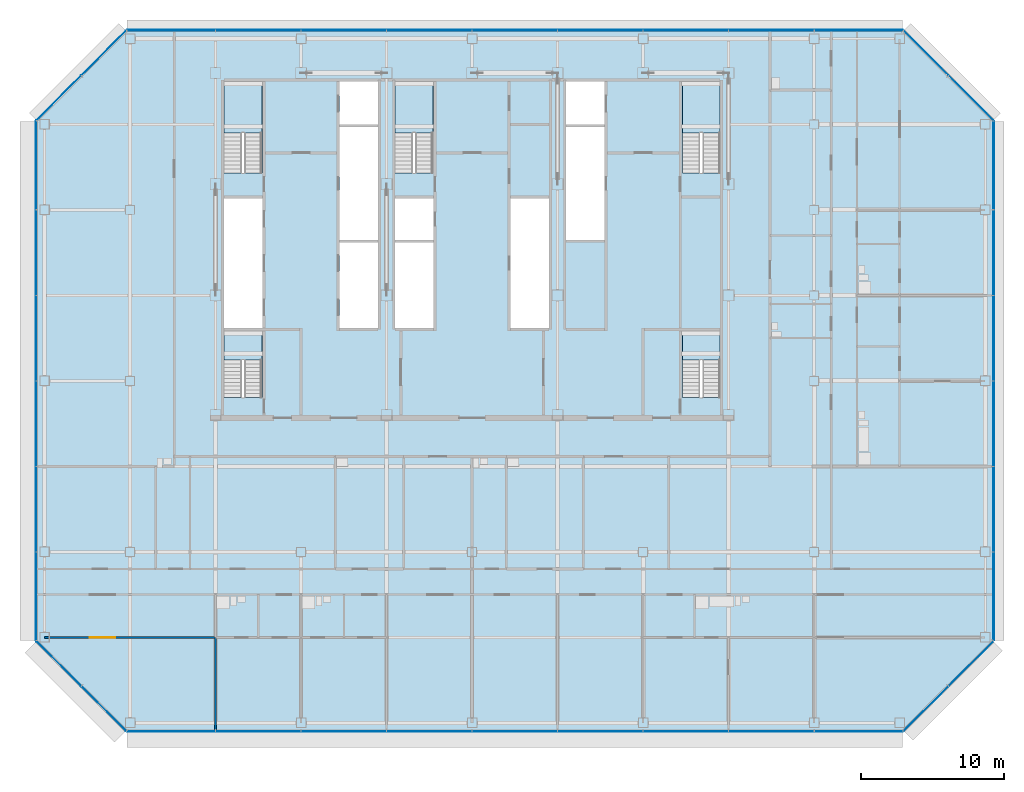
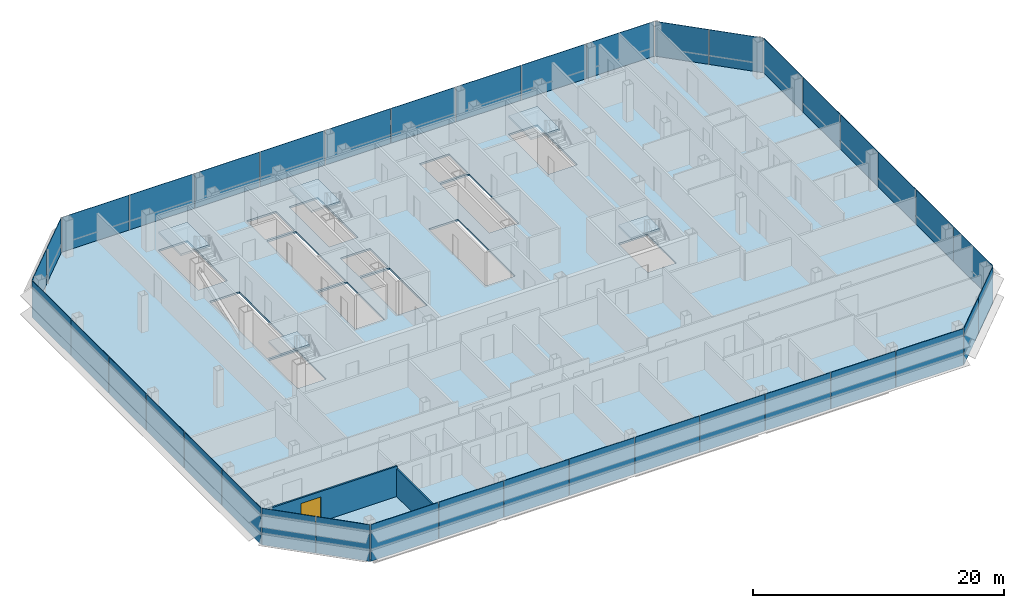
# One storey, part 18 of 26: 38 plates, 6 slabs, 2 walls, 1 door, 1 opening, 13 elements without a shape of their own.
"""IFC4 building model written with IfcOpenShell, lengths in metres."""

import ifcopenshell
import ifcopenshell.guid

model = None  # the IFC model being written
_history = None  # IfcOwnerHistory: only IFC2X3 demands one
_inside = {}  # id of a spatial element -> (the spatial element, [elements in it])
_under = {}  # id of a project, library or spatial element -> (it, [spatial elements below it])
_declared = {}  # id of a project -> (the project, [libraries it declares])
_typed = {}  # id of a type object -> (the type object, [elements of that type])
_made_of = {}  # id of a material, layer set ... -> (it, [elements and type objects made of it])


def new_model(schema):
    """Start an empty IFC model of exactly this schema.

    Asked for "IFC4X3", IfcOpenShell would pick the latest addendum, in which some entities
    have other attributes; the version numbers below select the first issue.
    IFC2X3 requires an IfcOwnerHistory on every rooted entity: one is made here for all.
    """
    global model, _history
    if schema == "IFC4X3":
        model = ifcopenshell.file(schema_version=(4, 3, 0, 0))
    else:
        model = ifcopenshell.file(schema=schema)
    _inside.clear()
    _under.clear()
    _declared.clear()
    _typed.clear()
    _made_of.clear()
    _history = None
    if model.schema == "IFC2X3":
        org = make("IfcOrganization", Name="unknown")
        user = make(
            "IfcPersonAndOrganization",
            ThePerson=make("IfcPerson", FamilyName="unknown"),
            TheOrganization=org,
        )
        app = make(
            "IfcApplication",
            ApplicationDeveloper=org,
            Version="unknown",
            ApplicationFullName="unknown",
            ApplicationIdentifier="unknown",
        )
        _history = make(
            "IfcOwnerHistory",
            OwningUser=user,
            OwningApplication=app,
            ChangeAction="ADDED",
            CreationDate=0,
        )
    return model


def make(cls, **values):
    """One entity of the class cls with the attributes given. An attribute that is None is left unset."""
    return model.create_entity(
        cls, **{name: value for name, value in values.items() if value is not None}
    )


def rooted(cls, **values):
    """An entity with a GlobalId (a new one), such as an element, a storey or a relation."""
    return make(cls, GlobalId=ifcopenshell.guid.new(), OwnerHistory=_history, **values)


def si_unit(unit_type, name, prefix=None):
    """IfcSIUnit, for example si_unit("LENGTHUNIT", "METRE", prefix="MILLI")."""
    return make("IfcSIUnit", UnitType=unit_type, Prefix=prefix, Name=name)


def assignment(units):
    """IfcUnitAssignment: the units of a project."""
    return None if units is None else make("IfcUnitAssignment", Units=units)


def point(xyz):
    """IfcCartesianPoint."""
    return None if xyz is None else make("IfcCartesianPoint", Coordinates=xyz)


def direction(xyz):
    """IfcDirection."""
    return None if xyz is None else make("IfcDirection", DirectionRatios=xyz)


def frame(location, z_axis=None, x_axis=None):
    """IfcAxis2Placement3D, a coordinate frame: its origin and axes. An axis left out is left unset."""
    return make(
        "IfcAxis2Placement3D",
        Location=point(location),
        Axis=direction(z_axis),
        RefDirection=direction(x_axis),
    )


def frame_2d(location, x_axis=None):
    """IfcAxis2Placement2D, a coordinate frame in the plane: its origin and x axis."""
    return make(
        "IfcAxis2Placement2D", Location=point(location), RefDirection=direction(x_axis)
    )


def origin():
    """The frame at (0, 0, 0) with its axes left unset."""
    return frame((0.0, 0.0, 0.0))


def origin_2d():
    """The frame at (0, 0) in the plane with its x axis left unset."""
    return frame_2d((0.0, 0.0))


def place(relative_to, where):
    """IfcLocalPlacement: puts the frame where relative to a parent placement (None: the world)."""
    return make(
        "IfcLocalPlacement", PlacementRelTo=relative_to, RelativePlacement=where
    )


def context(
    kind, dimensions, precision=None, world=None, true_north=None, identifier=None
):
    """IfcGeometricRepresentationContext, for example the 3D "Model" context."""
    return make(
        "IfcGeometricRepresentationContext",
        ContextIdentifier=identifier,
        ContextType=kind,
        CoordinateSpaceDimension=dimensions,
        Precision=precision,
        WorldCoordinateSystem=world,
        TrueNorth=true_north,
    )


def subcontext(parent, identifier, kind, view, scale=None):
    """IfcGeometricRepresentationSubContext, for example "Body" below "Model"."""
    return make(
        "IfcGeometricRepresentationSubContext",
        ContextIdentifier=identifier,
        ContextType=kind,
        ParentContext=parent,
        TargetScale=scale,
        TargetView=view,
    )


def project(units=None, contexts=None):
    """IfcProject with its units and contexts."""
    return rooted(
        "IfcProject",
        Name="project",
        RepresentationContexts=contexts,
        UnitsInContext=assignment(units),
    )


def spatial(cls, under=None, at=None, **own):
    """A site, building, storey or space (cls), placed at a placement, below another one or the project."""
    s = rooted(cls, ObjectPlacement=at, **own)
    if under is not None:
        _under.setdefault(under.id(), (under, []))[1].append(s)
    return s


def polyline(points):
    """IfcPolyline through the points."""
    return make("IfcPolyline", Points=[point(p) for p in points])


def profile(cls, at=None, kind="AREA", **sizes):
    """A parametric profile (cls). Its sizes go by their IFC names, for example OverallWidth=200.0."""
    return make(cls, ProfileType=kind, Position=at, **sizes)


def rectangle(**sizes):
    """IfcRectangleProfileDef."""
    return profile("IfcRectangleProfileDef", **sizes)


def outline(outer, holes=None, kind="AREA"):
    """IfcArbitraryClosedProfileDef: a profile drawn as a closed curve; with holes, ...WithVoids."""
    if holes is None:
        return make("IfcArbitraryClosedProfileDef", ProfileType=kind, OuterCurve=outer)
    return make(
        "IfcArbitraryProfileDefWithVoids",
        ProfileType=kind,
        OuterCurve=outer,
        InnerCurves=holes,
    )


def extrude(swept, where, along, depth):
    """IfcExtrudedAreaSolid: the profile swept, set in the frame where, extruded along a direction by depth."""
    return make(
        "IfcExtrudedAreaSolid",
        SweptArea=swept,
        Position=where,
        ExtrudedDirection=direction(along),
        Depth=depth,
    )


def shape(context_of_items, identifier, shape_type, items):
    """IfcShapeRepresentation: the items that make up one representation, for example the "Body"."""
    return make(
        "IfcShapeRepresentation",
        ContextOfItems=context_of_items,
        RepresentationIdentifier=identifier,
        RepresentationType=shape_type,
        Items=items,
    )


def material(Name=None, Category=None):
    """IfcMaterial."""
    return make("IfcMaterial", Name=Name, Category=Category)


def layer(
    of_material, thickness, ventilated=None, Name=None, Category=None, Priority=None
):
    """IfcMaterialLayer: one layer of a wall or slab, of a material (None: an air gap)."""
    return make(
        "IfcMaterialLayer",
        Material=of_material,
        LayerThickness=thickness,
        IsVentilated=ventilated,
        Name=Name,
        Category=Category,
        Priority=Priority,
    )


def layer_set(layers, Name=None):
    """IfcMaterialLayerSet."""
    return make("IfcMaterialLayerSet", MaterialLayers=layers, LayerSetName=Name)


def made_of(thing, what):
    """Note that an element or type object is made of a material, layer set ...; save() writes the relation."""
    if what is not None:
        _made_of.setdefault(what.id(), (what, []))[1].append(thing)
    return thing


def type_object(cls, material=None, **own):
    """A type object (cls), such as IfcWallType, which elements share."""
    return made_of(rooted(cls, **own), material)


def element(
    cls,
    number,
    at=None,
    inside=None,
    cuts=None,
    type_object=None,
    material=None,
    context=None,
    identifier="Body",
    shape_type=None,
    held_by="IfcProductDefinitionShape",
    body=None,
    shapes=None,
    **own,
):
    """One element of the class cls, such as IfcWall. Its Tag is "e" and its number.

    at: its placement. inside: the storey or other place that contains it. cuts: it is an
    opening in that element (IfcRelVoidsElement). A single representation is given by context,
    identifier, shape_type and body (its items); several are given by shapes. held_by: the class
    of the entity that holds the representations. save() writes the other relations.
    """
    e = rooted(cls, Tag="e%d" % number, ObjectPlacement=at, **own)
    if body is not None:
        shapes = [shape(context, identifier, shape_type, body)]
    if shapes is not None:
        e.Representation = make(held_by, Representations=shapes)
    if inside is not None:
        _inside.setdefault(inside.id(), (inside, []))[1].append(e)
    if cuts is not None:
        rooted(
            "IfcRelVoidsElement", RelatingBuildingElement=cuts, RelatedOpeningElement=e
        )
    if type_object is not None:
        _typed.setdefault(type_object.id(), (type_object, []))[1].append(e)
    return made_of(e, material)


def fill(opening, filler):
    """IfcRelFillsElement: the door or window that sits in an opening."""
    return rooted(
        "IfcRelFillsElement",
        RelatingOpeningElement=opening,
        RelatedBuildingElement=filler,
    )


def aggregate(whole, parts):
    """IfcRelAggregates: a whole, such as a stair, and the parts it consists of."""
    return rooted("IfcRelAggregates", RelatingObject=whole, RelatedObjects=parts)


def save(model, path):
    """Write the relations noted so far, then the file.

    IfcRelAggregates (storeys below a building ...), IfcRelContainedInSpatialStructure (elements
    in a storey), IfcRelDefinesByType, IfcRelAssociatesMaterial and IfcRelDeclares: one each for
    every whole, place, type object, material and project.
    """
    for whole, parts in _under.values():
        aggregate(whole, parts)
    for where, things in _inside.values():
        rooted(
            "IfcRelContainedInSpatialStructure",
            RelatedElements=things,
            RelatingStructure=where,
        )
    for kind, things in _typed.values():
        rooted("IfcRelDefinesByType", RelatedObjects=things, RelatingType=kind)
    for what, things in _made_of.values():
        rooted("IfcRelAssociatesMaterial", RelatedObjects=things, RelatingMaterial=what)
    for by, libraries in _declared.values():
        rooted("IfcRelDeclares", RelatingContext=by, RelatedDefinitions=libraries)
    model.write(path)


model = new_model("IFC4")

# Units and contexts
model_context = context("Model", 3, precision=1e-05, world=origin(), true_north=direction((0.0, 1.0)))
body_context = subcontext(model_context, "Body", "Model", "MODEL_VIEW")
ifc_project = project(units=[si_unit("LENGTHUNIT", "METRE"), si_unit("AREAUNIT", "SQUARE_METRE"), si_unit("VOLUMEUNIT", "CUBIC_METRE"), si_unit("PLANEANGLEUNIT", "RADIAN"), si_unit("MASSUNIT", "GRAM", prefix="KILO")], contexts=[model_context])

# Site, building, storey
site_placement = place(None, origin())
site = spatial("IfcSite", under=ifc_project, at=site_placement, CompositionType="ELEMENT")
building_placement = place(site_placement, origin())
building = spatial("IfcBuilding", under=site, at=building_placement, Name="Sorahane Residences", CompositionType="ELEMENT")
storey_placement = place(building_placement, frame((0.0, 0.0, 158.199951171875)))
storey = spatial("IfcBuildingStorey", under=building, at=storey_placement, Name="L36", CompositionType="ELEMENT", Elevation=158.199951171875)

# Slab
ifc_material_1 = material(Name="Concrete C35", Category="concrete")
ifc_layer_1 = layer(ifc_material_1, 0.179931640625)
ifc_layer_set_1 = layer_set([ifc_layer_1], Name="Composite floor slab 180 mm Concrete C35")
slab_type_1 = type_object("IfcSlabType", Name="Composite floor slab 180 mm Concrete C35", PredefinedType="FLOOR", material=ifc_layer_set_1)
slab_1_placement = place(storey_placement, frame((0.0, 0.0, -0.179931640625)))
element("IfcSlab", 1, at=slab_1_placement, inside=storey, type_object=slab_type_1, Name="Slab L36", PredefinedType="FLOOR", context=body_context, shape_type="SweptSolid", body=[
    extrude(outline(polyline([(-0.24853515625, -0.60009765625), (-6.60009765625, 5.75146484375), (-6.60009765625, 42.24853515625), (-0.24853515625, 48.60009765625), (54.24853515625, 48.60009765625), (60.60009765625, 42.24853515625), (60.60009765625, 5.75146484375), (54.24853515625, -0.60009765625), (-0.24853515625, -0.60009765625)]), holes=[polyline([(18.60009765625, 27.699951171875), (21.300048828125, 27.699951171875), (21.300048828125, 33.699951171875), (18.60009765625, 33.699951171875), (18.60009765625, 27.699951171875)]), polyline([(30.60009765625, 42.0), (33.300048828125, 42.0), (33.300048828125, 45.0), (30.60009765625, 45.0), (30.60009765625, 42.0)]), polyline([(14.699951171875, 27.699951171875), (17.39990234375, 27.699951171875), (17.39990234375, 33.699951171875), (14.699951171875, 33.699951171875), (14.699951171875, 27.699951171875)]), polyline([(14.699951171875, 42.0), (17.39990234375, 42.0), (17.39990234375, 45.0), (14.699951171875, 45.0), (14.699951171875, 42.0)]), polyline([(6.60009765625, 27.699951171875), (9.300048828125, 27.699951171875), (9.300048828125, 36.800048828125), (6.60009765625, 36.800048828125), (6.60009765625, 27.699951171875)]), polyline([(9.25, 38.60009765625), (9.25, 45.0), (6.60009765625, 45.0), (6.60009765625, 38.60009765625), (9.25, 38.60009765625)]), polyline([(41.39990234375, 38.60009765625), (41.39990234375, 45.0), (38.75, 45.0), (38.75, 38.60009765625), (41.39990234375, 38.60009765625)]), polyline([(21.25, 38.60009765625), (21.25, 45.0), (18.60009765625, 45.0), (18.60009765625, 38.60009765625), (21.25, 38.60009765625)]), polyline([(9.25, 22.85009765625), (9.25, 27.5), (6.60009765625, 27.5), (6.60009765625, 22.85009765625), (9.25, 22.85009765625)]), polyline([(41.39990234375, 22.85009765625), (41.39990234375, 27.5), (38.75, 27.5), (38.75, 22.85009765625), (41.39990234375, 22.85009765625)]), polyline([(14.699951171875, 33.89990234375), (17.39990234375, 33.89990234375), (17.39990234375, 41.800048828125), (14.699951171875, 41.800048828125), (14.699951171875, 33.89990234375)]), polyline([(30.60009765625, 33.89990234375), (33.300048828125, 33.89990234375), (33.300048828125, 41.800048828125), (30.60009765625, 41.800048828125), (30.60009765625, 33.89990234375)]), polyline([(18.60009765625, 33.89990234375), (21.300048828125, 33.89990234375), (21.300048828125, 36.800048828125), (18.60009765625, 36.800048828125), (18.60009765625, 33.89990234375)]), polyline([(26.699951171875, 27.699951171875), (29.39990234375, 27.699951171875), (29.39990234375, 36.800048828125), (26.699951171875, 36.800048828125), (26.699951171875, 27.699951171875)])]), origin(), (0.0, 0.0, 1.0), 0.179931640625),
])

# Curtain wall, plates
ifc_material_2 = material(Name="Dark low-e glass and black anodised aluminium", Category="aluminium")
curtain_wall_type_1 = type_object("IfcCurtainWallType", Name="Curtain wall CW-1 Typical unitised wall", PredefinedType="NOTDEFINED", material=ifc_material_2)
curtain_wall_1_placement = place(storey_placement, origin())
curtain_wall_1 = element("IfcCurtainWall", 2, at=curtain_wall_1_placement, inside=storey, type_object=curtain_wall_type_1, Name="CW-1 curtain wall L36 S1", PredefinedType="NOTDEFINED")
ifc_material_3 = material(Name="Dark low-e glass with black ceramic frit", Category="glass")
ifc_layer_2 = layer(ifc_material_3, 0.0400390625)
ifc_layer_set_2 = layer_set([ifc_layer_2], Name="Curtain wall glass panel dark low-e with black frit spandrel band")
plate_type = type_object("IfcPlateType", Name="Curtain wall glass panel dark low-e with black frit spandrel band", PredefinedType="CURTAIN_PANEL", material=ifc_layer_set_2)
plate_1_placement = place(storey_placement, frame((2.88818359375, -0.60009765625, -0.179931640625), z_axis=(0.0, 0.0, 1.0), x_axis=(1.0, 0.0, 0.0)))
plate_1 = element("IfcPlate", 3, at=plate_1_placement, type_object=plate_type, Name="CW-1 glass panel L36 S1.1", PredefinedType="CURTAIN_PANEL", context=body_context, shape_type="SweptSolid", body=[
    extrude(rectangle(XDim=6.173583984375, YDim=0.0400390625, at=origin_2d()), origin(), (0.0, 0.0, 1.0), 3.56005859375),
])
plate_2_placement = place(storey_placement, frame((9.0, -0.60009765625, -0.179931640625), z_axis=(0.0, 0.0, 1.0), x_axis=(1.0, 0.0, 0.0)))
plate_2 = element("IfcPlate", 4, at=plate_2_placement, type_object=plate_type, Name="CW-1 glass panel L36 S1.2", PredefinedType="CURTAIN_PANEL", context=body_context, shape_type="SweptSolid", body=[
    extrude(rectangle(XDim=5.949951171875, YDim=0.0400390625, at=origin_2d()), origin(), (0.0, 0.0, 1.0), 3.56005859375),
])
plate_3_placement = place(storey_placement, frame((15.0, -0.60009765625, -0.179931640625), z_axis=(0.0, 0.0, 1.0), x_axis=(1.0, 0.0, 0.0)))
plate_3 = element("IfcPlate", 5, at=plate_3_placement, type_object=plate_type, Name="CW-1 glass panel L36 S1.3", PredefinedType="CURTAIN_PANEL", context=body_context, shape_type="SweptSolid", body=[
    extrude(rectangle(XDim=5.949951171875, YDim=0.0400390625, at=origin_2d()), origin(), (0.0, 0.0, 1.0), 3.56005859375),
])
plate_4_placement = place(storey_placement, frame((21.0, -0.60009765625, -0.179931640625), z_axis=(0.0, 0.0, 1.0), x_axis=(1.0, 0.0, 0.0)))
plate_4 = element("IfcPlate", 6, at=plate_4_placement, type_object=plate_type, Name="CW-1 glass panel L36 S1.4", PredefinedType="CURTAIN_PANEL", context=body_context, shape_type="SweptSolid", body=[
    extrude(rectangle(XDim=5.949951171875, YDim=0.0400390625, at=origin_2d()), origin(), (0.0, 0.0, 1.0), 3.56005859375),
])
plate_5_placement = place(storey_placement, frame((27.0, -0.60009765625, -0.179931640625), z_axis=(0.0, 0.0, 1.0), x_axis=(1.0, 0.0, 0.0)))
plate_5 = element("IfcPlate", 7, at=plate_5_placement, type_object=plate_type, Name="CW-1 glass panel L36 S1.5", PredefinedType="CURTAIN_PANEL", context=body_context, shape_type="SweptSolid", body=[
    extrude(rectangle(XDim=5.949951171875, YDim=0.0400390625, at=origin_2d()), origin(), (0.0, 0.0, 1.0), 3.56005859375),
])
plate_6_placement = place(storey_placement, frame((33.0, -0.60009765625, -0.179931640625), z_axis=(0.0, 0.0, 1.0), x_axis=(1.0, 0.0, 0.0)))
plate_6 = element("IfcPlate", 8, at=plate_6_placement, type_object=plate_type, Name="CW-1 glass panel L36 S1.6", PredefinedType="CURTAIN_PANEL", context=body_context, shape_type="SweptSolid", body=[
    extrude(rectangle(XDim=5.949951171875, YDim=0.0400390625, at=origin_2d()), origin(), (0.0, 0.0, 1.0), 3.56005859375),
])
plate_7_placement = place(storey_placement, frame((39.0, -0.60009765625, -0.179931640625), z_axis=(0.0, 0.0, 1.0), x_axis=(1.0, 0.0, 0.0)))
plate_7 = element("IfcPlate", 9, at=plate_7_placement, type_object=plate_type, Name="CW-1 glass panel L36 S1.7", PredefinedType="CURTAIN_PANEL", context=body_context, shape_type="SweptSolid", body=[
    extrude(rectangle(XDim=5.949951171875, YDim=0.0400390625, at=origin_2d()), origin(), (0.0, 0.0, 1.0), 3.56005859375),
])
plate_8_placement = place(storey_placement, frame((45.0, -0.60009765625, -0.179931640625), z_axis=(0.0, 0.0, 1.0), x_axis=(1.0, 0.0, 0.0)))
plate_8 = element("IfcPlate", 10, at=plate_8_placement, type_object=plate_type, Name="CW-1 glass panel L36 S1.8", PredefinedType="CURTAIN_PANEL", context=body_context, shape_type="SweptSolid", body=[
    extrude(rectangle(XDim=5.949951171875, YDim=0.0400390625, at=origin_2d()), origin(), (0.0, 0.0, 1.0), 3.56005859375),
])
plate_9_placement = place(storey_placement, frame((51.11181640625, -0.60009765625, -0.179931640625), z_axis=(0.0, 0.0, 1.0), x_axis=(1.0, 0.0, 0.0)))
plate_9 = element("IfcPlate", 11, at=plate_9_placement, type_object=plate_type, Name="CW-1 glass panel L36 S1.9", PredefinedType="CURTAIN_PANEL", context=body_context, shape_type="SweptSolid", body=[
    extrude(rectangle(XDim=6.173583984375, YDim=0.0400390625, at=origin_2d()), origin(), (0.0, 0.0, 1.0), 3.56005859375),
])
aggregate(curtain_wall_1, [plate_1, plate_2, plate_3, plate_4, plate_5, plate_6, plate_7, plate_8, plate_9])

ifc_material_4 = material(Name="Dark low-e glass and black anodised aluminium", Category="aluminium")
curtain_wall_type_2 = type_object("IfcCurtainWallType", Name="Curtain wall CW-2 Chamfer unitised wall", PredefinedType="NOTDEFINED", material=ifc_material_4)
curtain_wall_2_placement = place(storey_placement, origin())
curtain_wall_2 = element("IfcCurtainWall", 12, at=curtain_wall_2_placement, inside=storey, type_object=curtain_wall_type_2, Name="CW-2 curtain wall L36 SE1", PredefinedType="NOTDEFINED")
plate_10_placement = place(storey_placement, frame((55.84521484375, 0.996826171875, -0.179931640625), z_axis=(0.0, 0.0, 1.0), x_axis=(0.707106781187, 0.707106781187, 0.0)))
plate_10 = element("IfcPlate", 13, at=plate_10_placement, type_object=plate_type, Name="CW-2 glass panel L36 SE1.1", PredefinedType="CURTAIN_PANEL", context=body_context, shape_type="SweptSolid", body=[
    extrude(rectangle(XDim=4.416259765625, YDim=0.0400390625, at=origin_2d()), origin(), (0.0, 0.0, 1.0), 3.56005859375),
])
plate_11_placement = place(storey_placement, frame((59.003173828125, 4.15478515625, -0.179931640625), z_axis=(0.0, 0.0, 1.0), x_axis=(0.707106781187, 0.707106781187, 0.0)))
plate_11 = element("IfcPlate", 14, at=plate_11_placement, type_object=plate_type, Name="CW-2 glass panel L36 SE1.2", PredefinedType="CURTAIN_PANEL", context=body_context, shape_type="SweptSolid", body=[
    extrude(rectangle(XDim=4.416259765625, YDim=0.0400390625, at=origin_2d()), origin(), (0.0, 0.0, 1.0), 3.56005859375),
])
aggregate(curtain_wall_2, [plate_10, plate_11])

curtain_wall_3_placement = place(storey_placement, origin())
curtain_wall_3 = element("IfcCurtainWall", 15, at=curtain_wall_3_placement, inside=storey, type_object=curtain_wall_type_1, Name="CW-1 curtain wall L36 E1", PredefinedType="NOTDEFINED")
plate_12_placement = place(storey_placement, frame((60.60009765625, 8.88818359375, -0.179931640625), z_axis=(0.0, 0.0, 1.0), x_axis=(0.0, 1.0, 0.0)))
plate_12 = element("IfcPlate", 16, at=plate_12_placement, type_object=plate_type, Name="CW-1 glass panel L36 E1.1", PredefinedType="CURTAIN_PANEL", context=body_context, shape_type="SweptSolid", body=[
    extrude(rectangle(XDim=6.173583984375, YDim=0.0400390625, at=origin_2d()), origin(), (0.0, 0.0, 1.0), 3.56005859375),
])
plate_13_placement = place(storey_placement, frame((60.60009765625, 15.0, -0.179931640625), z_axis=(0.0, 0.0, 1.0), x_axis=(0.0, 1.0, 0.0)))
plate_13 = element("IfcPlate", 17, at=plate_13_placement, type_object=plate_type, Name="CW-1 glass panel L36 E1.2", PredefinedType="CURTAIN_PANEL", context=body_context, shape_type="SweptSolid", body=[
    extrude(rectangle(XDim=5.949951171875, YDim=0.0400390625, at=origin_2d()), origin(), (0.0, 0.0, 1.0), 3.56005859375),
])
plate_14_placement = place(storey_placement, frame((60.60009765625, 21.0, -0.179931640625), z_axis=(0.0, 0.0, 1.0), x_axis=(0.0, 1.0, 0.0)))
plate_14 = element("IfcPlate", 18, at=plate_14_placement, type_object=plate_type, Name="CW-1 glass panel L36 E1.3", PredefinedType="CURTAIN_PANEL", context=body_context, shape_type="SweptSolid", body=[
    extrude(rectangle(XDim=5.949951171875, YDim=0.0400390625, at=origin_2d()), origin(), (0.0, 0.0, 1.0), 3.56005859375),
])
plate_15_placement = place(storey_placement, frame((60.60009765625, 27.0, -0.179931640625), z_axis=(0.0, 0.0, 1.0), x_axis=(0.0, 1.0, 0.0)))
plate_15 = element("IfcPlate", 19, at=plate_15_placement, type_object=plate_type, Name="CW-1 glass panel L36 E1.4", PredefinedType="CURTAIN_PANEL", context=body_context, shape_type="SweptSolid", body=[
    extrude(rectangle(XDim=5.949951171875, YDim=0.0400390625, at=origin_2d()), origin(), (0.0, 0.0, 1.0), 3.56005859375),
])
plate_16_placement = place(storey_placement, frame((60.60009765625, 33.0, -0.179931640625), z_axis=(0.0, 0.0, 1.0), x_axis=(0.0, 1.0, 0.0)))
plate_16 = element("IfcPlate", 20, at=plate_16_placement, type_object=plate_type, Name="CW-1 glass panel L36 E1.5", PredefinedType="CURTAIN_PANEL", context=body_context, shape_type="SweptSolid", body=[
    extrude(rectangle(XDim=5.949951171875, YDim=0.0400390625, at=origin_2d()), origin(), (0.0, 0.0, 1.0), 3.56005859375),
])
plate_17_placement = place(storey_placement, frame((60.60009765625, 39.11181640625, -0.179931640625), z_axis=(0.0, 0.0, 1.0), x_axis=(0.0, 1.0, 0.0)))
plate_17 = element("IfcPlate", 21, at=plate_17_placement, type_object=plate_type, Name="CW-1 glass panel L36 E1.6", PredefinedType="CURTAIN_PANEL", context=body_context, shape_type="SweptSolid", body=[
    extrude(rectangle(XDim=6.173583984375, YDim=0.0400390625, at=origin_2d()), origin(), (0.0, 0.0, 1.0), 3.56005859375),
])
aggregate(curtain_wall_3, [plate_12, plate_13, plate_14, plate_15, plate_16, plate_17])

curtain_wall_4_placement = place(storey_placement, origin())
curtain_wall_4 = element("IfcCurtainWall", 22, at=curtain_wall_4_placement, inside=storey, type_object=curtain_wall_type_2, Name="CW-2 curtain wall L36 NE1", PredefinedType="NOTDEFINED")
plate_18_placement = place(storey_placement, frame((59.003173828125, 43.84521484375, -0.179931640625), z_axis=(0.0, 0.0, 1.0), x_axis=(-0.707106781187, 0.707106781187, 0.0)))
plate_18 = element("IfcPlate", 23, at=plate_18_placement, type_object=plate_type, Name="CW-2 glass panel L36 NE1.1", PredefinedType="CURTAIN_PANEL", context=body_context, shape_type="SweptSolid", body=[
    extrude(rectangle(XDim=4.416259765625, YDim=0.0400390625, at=origin_2d()), origin(), (0.0, 0.0, 1.0), 3.56005859375),
])
plate_19_placement = place(storey_placement, frame((55.84521484375, 47.003173828125, -0.179931640625), z_axis=(0.0, 0.0, 1.0), x_axis=(-0.707106781187, 0.707106781187, 0.0)))
plate_19 = element("IfcPlate", 24, at=plate_19_placement, type_object=plate_type, Name="CW-2 glass panel L36 NE1.2", PredefinedType="CURTAIN_PANEL", context=body_context, shape_type="SweptSolid", body=[
    extrude(rectangle(XDim=4.416259765625, YDim=0.0400390625, at=origin_2d()), origin(), (0.0, 0.0, 1.0), 3.56005859375),
])
aggregate(curtain_wall_4, [plate_18, plate_19])

curtain_wall_5_placement = place(storey_placement, origin())
curtain_wall_5 = element("IfcCurtainWall", 25, at=curtain_wall_5_placement, inside=storey, type_object=curtain_wall_type_1, Name="CW-1 curtain wall L36 N1", PredefinedType="NOTDEFINED")
plate_20_placement = place(storey_placement, frame((51.11181640625, 48.60009765625, -0.179931640625), z_axis=(0.0, 0.0, 1.0), x_axis=(-1.0, 0.0, 0.0)))
plate_20 = element("IfcPlate", 26, at=plate_20_placement, type_object=plate_type, Name="CW-1 glass panel L36 N1.1", PredefinedType="CURTAIN_PANEL", context=body_context, shape_type="SweptSolid", body=[
    extrude(rectangle(XDim=6.173583984375, YDim=0.0400390625, at=origin_2d()), origin(), (0.0, 0.0, 1.0), 3.56005859375),
])
plate_21_placement = place(storey_placement, frame((45.0, 48.60009765625, -0.179931640625), z_axis=(0.0, 0.0, 1.0), x_axis=(-1.0, 0.0, 0.0)))
plate_21 = element("IfcPlate", 27, at=plate_21_placement, type_object=plate_type, Name="CW-1 glass panel L36 N1.2", PredefinedType="CURTAIN_PANEL", context=body_context, shape_type="SweptSolid", body=[
    extrude(rectangle(XDim=5.949951171875, YDim=0.0400390625, at=origin_2d()), origin(), (0.0, 0.0, 1.0), 3.56005859375),
])
plate_22_placement = place(storey_placement, frame((39.0, 48.60009765625, -0.179931640625), z_axis=(0.0, 0.0, 1.0), x_axis=(-1.0, 0.0, 0.0)))
plate_22 = element("IfcPlate", 28, at=plate_22_placement, type_object=plate_type, Name="CW-1 glass panel L36 N1.3", PredefinedType="CURTAIN_PANEL", context=body_context, shape_type="SweptSolid", body=[
    extrude(rectangle(XDim=5.949951171875, YDim=0.0400390625, at=origin_2d()), origin(), (0.0, 0.0, 1.0), 3.56005859375),
])
plate_23_placement = place(storey_placement, frame((33.0, 48.60009765625, -0.179931640625), z_axis=(0.0, 0.0, 1.0), x_axis=(-1.0, 0.0, 0.0)))
plate_23 = element("IfcPlate", 29, at=plate_23_placement, type_object=plate_type, Name="CW-1 glass panel L36 N1.4", PredefinedType="CURTAIN_PANEL", context=body_context, shape_type="SweptSolid", body=[
    extrude(rectangle(XDim=5.949951171875, YDim=0.0400390625, at=origin_2d()), origin(), (0.0, 0.0, 1.0), 3.56005859375),
])
plate_24_placement = place(storey_placement, frame((27.0, 48.60009765625, -0.179931640625), z_axis=(0.0, 0.0, 1.0), x_axis=(-1.0, 0.0, 0.0)))
plate_24 = element("IfcPlate", 30, at=plate_24_placement, type_object=plate_type, Name="CW-1 glass panel L36 N1.5", PredefinedType="CURTAIN_PANEL", context=body_context, shape_type="SweptSolid", body=[
    extrude(rectangle(XDim=5.949951171875, YDim=0.0400390625, at=origin_2d()), origin(), (0.0, 0.0, 1.0), 3.56005859375),
])
plate_25_placement = place(storey_placement, frame((21.0, 48.60009765625, -0.179931640625), z_axis=(0.0, 0.0, 1.0), x_axis=(-1.0, 0.0, 0.0)))
plate_25 = element("IfcPlate", 31, at=plate_25_placement, type_object=plate_type, Name="CW-1 glass panel L36 N1.6", PredefinedType="CURTAIN_PANEL", context=body_context, shape_type="SweptSolid", body=[
    extrude(rectangle(XDim=5.949951171875, YDim=0.0400390625, at=origin_2d()), origin(), (0.0, 0.0, 1.0), 3.56005859375),
])
plate_26_placement = place(storey_placement, frame((15.0, 48.60009765625, -0.179931640625), z_axis=(0.0, 0.0, 1.0), x_axis=(-1.0, 0.0, 0.0)))
plate_26 = element("IfcPlate", 32, at=plate_26_placement, type_object=plate_type, Name="CW-1 glass panel L36 N1.7", PredefinedType="CURTAIN_PANEL", context=body_context, shape_type="SweptSolid", body=[
    extrude(rectangle(XDim=5.949951171875, YDim=0.0400390625, at=origin_2d()), origin(), (0.0, 0.0, 1.0), 3.56005859375),
])
plate_27_placement = place(storey_placement, frame((9.0, 48.60009765625, -0.179931640625), z_axis=(0.0, 0.0, 1.0), x_axis=(-1.0, 0.0, 0.0)))
plate_27 = element("IfcPlate", 33, at=plate_27_placement, type_object=plate_type, Name="CW-1 glass panel L36 N1.8", PredefinedType="CURTAIN_PANEL", context=body_context, shape_type="SweptSolid", body=[
    extrude(rectangle(XDim=5.949951171875, YDim=0.0400390625, at=origin_2d()), origin(), (0.0, 0.0, 1.0), 3.56005859375),
])
plate_28_placement = place(storey_placement, frame((2.88818359375, 48.60009765625, -0.179931640625), z_axis=(0.0, 0.0, 1.0), x_axis=(-1.0, 0.0, 0.0)))
plate_28 = element("IfcPlate", 34, at=plate_28_placement, type_object=plate_type, Name="CW-1 glass panel L36 N1.9", PredefinedType="CURTAIN_PANEL", context=body_context, shape_type="SweptSolid", body=[
    extrude(rectangle(XDim=6.173583984375, YDim=0.0400390625, at=origin_2d()), origin(), (0.0, 0.0, 1.0), 3.56005859375),
])
aggregate(curtain_wall_5, [plate_20, plate_21, plate_22, plate_23, plate_24, plate_25, plate_26, plate_27, plate_28])

curtain_wall_6_placement = place(storey_placement, origin())
curtain_wall_6 = element("IfcCurtainWall", 35, at=curtain_wall_6_placement, inside=storey, type_object=curtain_wall_type_2, Name="CW-2 curtain wall L36 NW1", PredefinedType="NOTDEFINED")
plate_29_placement = place(storey_placement, frame((-1.84521484375, 47.003173828125, -0.179931640625), z_axis=(0.0, 0.0, 1.0), x_axis=(-0.707106781187, -0.707106781187, 0.0)))
plate_29 = element("IfcPlate", 36, at=plate_29_placement, type_object=plate_type, Name="CW-2 glass panel L36 NW1.1", PredefinedType="CURTAIN_PANEL", context=body_context, shape_type="SweptSolid", body=[
    extrude(rectangle(XDim=4.416259765625, YDim=0.0400390625, at=origin_2d()), origin(), (0.0, 0.0, 1.0), 3.56005859375),
])
plate_30_placement = place(storey_placement, frame((-5.003173828125, 43.84521484375, -0.179931640625), z_axis=(0.0, 0.0, 1.0), x_axis=(-0.707106781187, -0.707106781187, 0.0)))
plate_30 = element("IfcPlate", 37, at=plate_30_placement, type_object=plate_type, Name="CW-2 glass panel L36 NW1.2", PredefinedType="CURTAIN_PANEL", context=body_context, shape_type="SweptSolid", body=[
    extrude(rectangle(XDim=4.416259765625, YDim=0.0400390625, at=origin_2d()), origin(), (0.0, 0.0, 1.0), 3.56005859375),
])
aggregate(curtain_wall_6, [plate_29, plate_30])

curtain_wall_7_placement = place(storey_placement, origin())
curtain_wall_7 = element("IfcCurtainWall", 38, at=curtain_wall_7_placement, inside=storey, type_object=curtain_wall_type_1, Name="CW-1 curtain wall L36 W1", PredefinedType="NOTDEFINED")
plate_31_placement = place(storey_placement, frame((-6.60009765625, 39.11181640625, -0.179931640625), z_axis=(0.0, 0.0, 1.0), x_axis=(0.0, -1.0, 0.0)))
plate_31 = element("IfcPlate", 39, at=plate_31_placement, type_object=plate_type, Name="CW-1 glass panel L36 W1.1", PredefinedType="CURTAIN_PANEL", context=body_context, shape_type="SweptSolid", body=[
    extrude(rectangle(XDim=6.173583984375, YDim=0.0400390625, at=origin_2d()), origin(), (0.0, 0.0, 1.0), 3.56005859375),
])
plate_32_placement = place(storey_placement, frame((-6.60009765625, 33.0, -0.179931640625), z_axis=(0.0, 0.0, 1.0), x_axis=(0.0, -1.0, 0.0)))
plate_32 = element("IfcPlate", 40, at=plate_32_placement, type_object=plate_type, Name="CW-1 glass panel L36 W1.2", PredefinedType="CURTAIN_PANEL", context=body_context, shape_type="SweptSolid", body=[
    extrude(rectangle(XDim=5.949951171875, YDim=0.0400390625, at=origin_2d()), origin(), (0.0, 0.0, 1.0), 3.56005859375),
])
plate_33_placement = place(storey_placement, frame((-6.60009765625, 27.0, -0.179931640625), z_axis=(0.0, 0.0, 1.0), x_axis=(0.0, -1.0, 0.0)))
plate_33 = element("IfcPlate", 41, at=plate_33_placement, type_object=plate_type, Name="CW-1 glass panel L36 W1.3", PredefinedType="CURTAIN_PANEL", context=body_context, shape_type="SweptSolid", body=[
    extrude(rectangle(XDim=5.949951171875, YDim=0.0400390625, at=origin_2d()), origin(), (0.0, 0.0, 1.0), 3.56005859375),
])
plate_34_placement = place(storey_placement, frame((-6.60009765625, 21.0, -0.179931640625), z_axis=(0.0, 0.0, 1.0), x_axis=(0.0, -1.0, 0.0)))
plate_34 = element("IfcPlate", 42, at=plate_34_placement, type_object=plate_type, Name="CW-1 glass panel L36 W1.4", PredefinedType="CURTAIN_PANEL", context=body_context, shape_type="SweptSolid", body=[
    extrude(rectangle(XDim=5.949951171875, YDim=0.0400390625, at=origin_2d()), origin(), (0.0, 0.0, 1.0), 3.56005859375),
])
plate_35_placement = place(storey_placement, frame((-6.60009765625, 15.0, -0.179931640625), z_axis=(0.0, 0.0, 1.0), x_axis=(0.0, -1.0, 0.0)))
plate_35 = element("IfcPlate", 43, at=plate_35_placement, type_object=plate_type, Name="CW-1 glass panel L36 W1.5", PredefinedType="CURTAIN_PANEL", context=body_context, shape_type="SweptSolid", body=[
    extrude(rectangle(XDim=5.949951171875, YDim=0.0400390625, at=origin_2d()), origin(), (0.0, 0.0, 1.0), 3.56005859375),
])
plate_36_placement = place(storey_placement, frame((-6.60009765625, 8.88818359375, -0.179931640625), z_axis=(0.0, 0.0, 1.0), x_axis=(0.0, -1.0, 0.0)))
plate_36 = element("IfcPlate", 44, at=plate_36_placement, type_object=plate_type, Name="CW-1 glass panel L36 W1.6", PredefinedType="CURTAIN_PANEL", context=body_context, shape_type="SweptSolid", body=[
    extrude(rectangle(XDim=6.173583984375, YDim=0.0400390625, at=origin_2d()), origin(), (0.0, 0.0, 1.0), 3.56005859375),
])
aggregate(curtain_wall_7, [plate_31, plate_32, plate_33, plate_34, plate_35, plate_36])

curtain_wall_8_placement = place(storey_placement, origin())
curtain_wall_8 = element("IfcCurtainWall", 45, at=curtain_wall_8_placement, inside=storey, type_object=curtain_wall_type_2, Name="CW-2 curtain wall L36 SW1", PredefinedType="NOTDEFINED")
plate_37_placement = place(storey_placement, frame((-5.003173828125, 4.15478515625, -0.179931640625), z_axis=(0.0, 0.0, 1.0), x_axis=(0.707106781187, -0.707106781187, 0.0)))
plate_37 = element("IfcPlate", 46, at=plate_37_placement, type_object=plate_type, Name="CW-2 glass panel L36 SW1.1", PredefinedType="CURTAIN_PANEL", context=body_context, shape_type="SweptSolid", body=[
    extrude(rectangle(XDim=4.416259765625, YDim=0.0400390625, at=origin_2d()), origin(), (0.0, 0.0, 1.0), 3.56005859375),
])
plate_38_placement = place(storey_placement, frame((-1.84521484375, 0.996826171875, -0.179931640625), z_axis=(0.0, 0.0, 1.0), x_axis=(0.707106781187, -0.707106781187, 0.0)))
plate_38 = element("IfcPlate", 47, at=plate_38_placement, type_object=plate_type, Name="CW-2 glass panel L36 SW1.2", PredefinedType="CURTAIN_PANEL", context=body_context, shape_type="SweptSolid", body=[
    extrude(rectangle(XDim=4.416259765625, YDim=0.0400390625, at=origin_2d()), origin(), (0.0, 0.0, 1.0), 3.56005859375),
])
aggregate(curtain_wall_8, [plate_37, plate_38])

# Stair, slab
ifc_material_5 = material(Name="Concrete C40", Category="concrete")
stair_type = type_object("IfcStairType", Name="Dog-leg stair 1250 Concrete C40", PredefinedType="HALF_TURN_STAIR", material=ifc_material_5)
stair_1_placement = place(storey_placement, origin())
stair_1 = element("IfcStair", 48, at=stair_1_placement, inside=storey, type_object=stair_type, Name="L36 Stair S1", PredefinedType="HALF_TURN_STAIR")
ifc_material_6 = material(Name="Concrete C40", Category="concrete")
ifc_layer_3 = layer(ifc_material_6, 0.199951171875)
ifc_layer_set_3 = layer_set([ifc_layer_3], Name="Stair landing 200 Concrete C40")
slab_type_2 = type_object("IfcSlabType", Name="Stair landing 200 Concrete C40", PredefinedType="LANDING", material=ifc_layer_set_3)
slab_2_placement = place(storey_placement, frame((0.0, 0.0, 1.60009765625)))
slab_2 = element("IfcSlab", 49, at=slab_2_placement, type_object=slab_type_2, Name="S1 landing 1", PredefinedType="LANDING", context=body_context, shape_type="SweptSolid", body=[
    extrude(outline(polyline([(9.25, 41.39990234375), (9.25, 45.0), (6.60009765625, 45.0), (6.60009765625, 41.39990234375), (9.25, 41.39990234375)])), origin(), (0.0, 0.0, 1.0), 0.199951171875),
])
aggregate(stair_1, [slab_2])

stair_2_placement = place(storey_placement, origin())
stair_2 = element("IfcStair", 50, at=stair_2_placement, inside=storey, type_object=stair_type, Name="L36 Stair S2", PredefinedType="HALF_TURN_STAIR")
slab_3_placement = place(storey_placement, frame((0.0, 0.0, 1.60009765625)))
slab_3 = element("IfcSlab", 51, at=slab_3_placement, type_object=slab_type_2, Name="S2 landing 1", PredefinedType="LANDING", context=body_context, shape_type="SweptSolid", body=[
    extrude(outline(polyline([(41.39990234375, 41.39990234375), (41.39990234375, 45.0), (38.75, 45.0), (38.75, 41.39990234375), (41.39990234375, 41.39990234375)])), origin(), (0.0, 0.0, 1.0), 0.199951171875),
])
aggregate(stair_2, [slab_3])

stair_3_placement = place(storey_placement, origin())
stair_3 = element("IfcStair", 52, at=stair_3_placement, inside=storey, type_object=stair_type, Name="L36 Stair S3", PredefinedType="HALF_TURN_STAIR")
slab_4_placement = place(storey_placement, frame((0.0, 0.0, 1.60009765625)))
slab_4 = element("IfcSlab", 53, at=slab_4_placement, type_object=slab_type_2, Name="S3 landing 1", PredefinedType="LANDING", context=body_context, shape_type="SweptSolid", body=[
    extrude(outline(polyline([(21.25, 41.39990234375), (21.25, 45.0), (18.60009765625, 45.0), (18.60009765625, 41.39990234375), (21.25, 41.39990234375)])), origin(), (0.0, 0.0, 1.0), 0.199951171875),
])
aggregate(stair_3, [slab_4])

stair_4_placement = place(storey_placement, origin())
stair_4 = element("IfcStair", 54, at=stair_4_placement, inside=storey, type_object=stair_type, Name="L36 Stair S4", PredefinedType="HALF_TURN_STAIR")
slab_5_placement = place(storey_placement, frame((0.0, 0.0, 1.60009765625)))
slab_5 = element("IfcSlab", 55, at=slab_5_placement, type_object=slab_type_2, Name="S4 landing 1", PredefinedType="LANDING", context=body_context, shape_type="SweptSolid", body=[
    extrude(outline(polyline([(9.25, 25.449951171875), (9.25, 27.5), (6.60009765625, 27.5), (6.60009765625, 25.449951171875), (9.25, 25.449951171875)])), origin(), (0.0, 0.0, 1.0), 0.199951171875),
])
aggregate(stair_4, [slab_5])

stair_5_placement = place(storey_placement, origin())
stair_5 = element("IfcStair", 56, at=stair_5_placement, inside=storey, type_object=stair_type, Name="L36 Stair S5", PredefinedType="HALF_TURN_STAIR")
slab_6_placement = place(storey_placement, frame((0.0, 0.0, 1.60009765625)))
slab_6 = element("IfcSlab", 57, at=slab_6_placement, type_object=slab_type_2, Name="S5 landing 1", PredefinedType="LANDING", context=body_context, shape_type="SweptSolid", body=[
    extrude(outline(polyline([(41.39990234375, 25.449951171875), (41.39990234375, 27.5), (38.75, 27.5), (38.75, 25.449951171875), (41.39990234375, 25.449951171875)])), origin(), (0.0, 0.0, 1.0), 0.199951171875),
])
aggregate(stair_5, [slab_6])

# Wall
ifc_material_7 = material(Name="Gypsum board partition on steel studs", Category="steel")
ifc_layer_4 = layer(ifc_material_7, 0.14990234375)
ifc_layer_set_4 = layer_set([ifc_layer_4], Name="Partition 150 EI 90")
wall_type = type_object("IfcWallType", Name="Partition 150 EI 90", PredefinedType="PARTITIONING", material=ifc_layer_set_4)
wall_1_placement = place(storey_placement, frame((6.0, -0.60009765625, 0.0), z_axis=(0.0, 0.0, 1.0), x_axis=(0.0, 1.0, 0.0)))
element("IfcWall", 58, at=wall_1_placement, inside=storey, type_object=wall_type, Name="L36 partition", PredefinedType="PARTITIONING", context=body_context, shape_type="SweptSolid", body=[
    extrude(rectangle(XDim=6.60009765625, YDim=0.14990234375, at=frame_2d((3.300048828125, 0.0))), origin(), (0.0, 0.0, 1.0), 2.679931640625),
])

# Wall, opening, door
wall_2_placement = place(storey_placement, frame((-6.0, 6.0, 0.0), z_axis=(0.0, 0.0, 1.0), x_axis=(1.0, 0.0, 0.0)))
wall_2 = element("IfcWall", 59, at=wall_2_placement, inside=storey, type_object=wall_type, Name="L36 partition", PredefinedType="PARTITIONING", context=body_context, shape_type="SweptSolid", body=[
    extrude(rectangle(XDim=12.0, YDim=0.14990234375, at=frame_2d((6.0, 0.0))), origin(), (0.0, 0.0, 1.0), 2.929931640625),
])
opening_placement = place(wall_2_placement, frame((3.159912109375, 0.0, 0.0)))
opening = element("IfcOpeningElement", 60, at=opening_placement, cuts=wall_2, Name="Opening L36-10", PredefinedType="OPENING", context=body_context, shape_type="SweptSolid", body=[
    extrude(rectangle(XDim=1.800048828125, YDim=2.39990234375, at=frame_2d((0.89990234375, 1.199951171875))), frame((0.0, 0.0849609375, 0.0), z_axis=(0.0, -1.0, 0.0), x_axis=(1.0, 0.0, 0.0)), (0.0, 0.0, 1.0), 0.169921875),
])
ifc_material_8 = material(Name="Timber veneered fire door", Category="wood")
door_type = type_object("IfcDoorType", Name="Double door 1800x2400 FD30", OperationType="NOTDEFINED", PredefinedType="DOOR", material=ifc_material_8)
door_placement = place(opening_placement, frame((1.800048828125, 0.0, 0.0), z_axis=(0.0, 0.0, 1.0), x_axis=(-1.0, 0.0, 0.0)))
door = element("IfcDoor", 61, at=door_placement, inside=storey, type_object=door_type, Name="Double door L36-10", OperationType="SINGLE_SWING_LEFT", OverallHeight=2.39990234375, OverallWidth=1.800048828125, PredefinedType="DOOR", context=body_context, shape_type="SweptSolid", body=[
    extrude(rectangle(XDim=1.800048828125, YDim=2.39990234375, at=frame_2d((0.89990234375, 1.199951171875))), frame((0.0, 0.02490234375, 0.0), z_axis=(0.0, -1.0, 0.0), x_axis=(1.0, 0.0, 0.0)), (0.0, 0.0, 1.0), 0.050048828125),
])
fill(opening, door)

save(model, "model.ifc")
